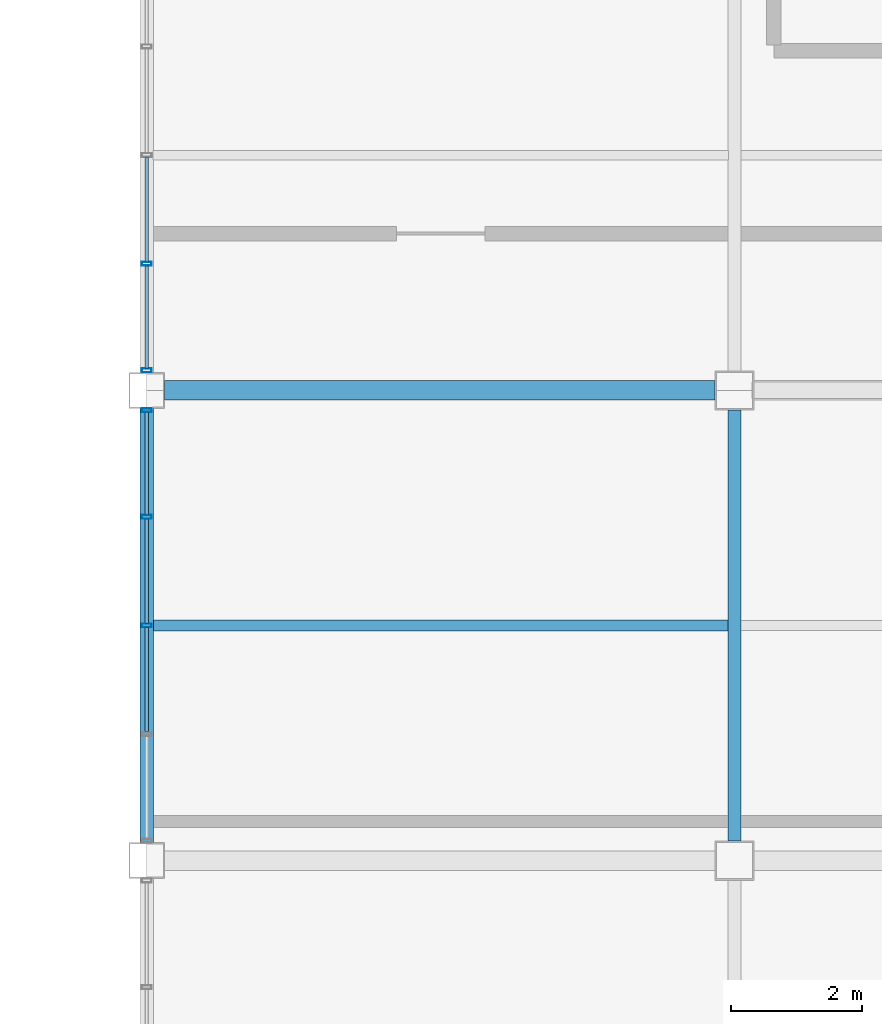
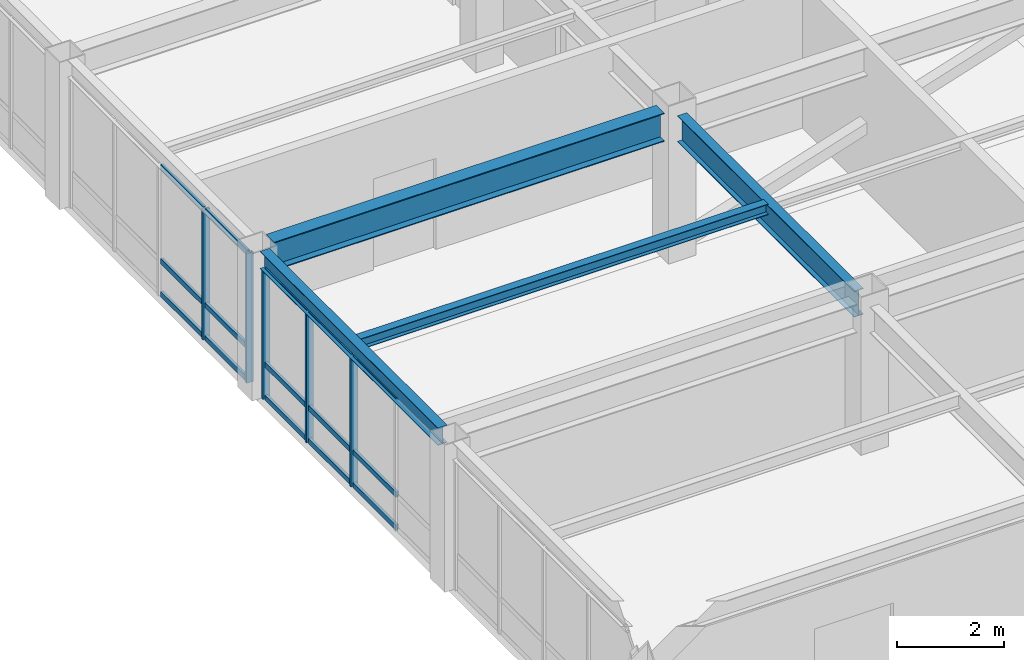
# One storey, part 21 of 43: 20 members, 4 beams, 2 elements without a shape of their own.
"""IFC4 building model written with IfcOpenShell, lengths in metres."""

from ifc_helpers import new_model, si_unit, direction, frame, origin, origin_2d, place, context, subcontext, project, spatial, hollow_rectangle, i_section, extrude, material, material_profile, profile_set, type_object, element, aggregate, save


model = new_model("IFC4")

# Units and contexts
model_context = context("Model", 3, precision=1e-05, world=origin(), true_north=direction((0.0, 1.0)))
body_context = subcontext(model_context, "Body", "Model", "MODEL_VIEW")
ifc_project = project(units=[si_unit("LENGTHUNIT", "METRE"), si_unit("AREAUNIT", "SQUARE_METRE"), si_unit("VOLUMEUNIT", "CUBIC_METRE"), si_unit("PLANEANGLEUNIT", "RADIAN"), si_unit("MASSUNIT", "GRAM", prefix="KILO")], contexts=[model_context])

# Site, building, storey
site_placement = place(None, origin())
site = spatial("IfcSite", under=ifc_project, at=site_placement, CompositionType="ELEMENT")
building_placement = place(site_placement, origin())
building = spatial("IfcBuilding", under=site, at=building_placement, Name="Kazanami Central Library", CompositionType="ELEMENT")
storey_placement = place(building_placement, frame((0.0, 0.0, 20.60009765625)))
storey = spatial("IfcBuildingStorey", under=building, at=storey_placement, Name="L06", CompositionType="ELEMENT", Elevation=20.60009765625)

# Beams
ifc_material_1 = material(Name="Steel SN400B (235 MPa)", Category="steel")
ifc_material_profile_1 = material_profile(ifc_material_1, i_section(OverallWidth=0.175048828125, OverallDepth=0.243896484375, WebThickness=0.007080078125, FlangeThickness=0.010986328125, at=origin_2d()), Name="H-244x175x7x11")
ifc_profile_set_1 = profile_set([ifc_material_profile_1], Name="Steel SN400B (235 MPa)")
beam_type_1 = type_object("IfcBeamType", Name="BM-B-S6", PredefinedType="JOIST", material=ifc_profile_set_1)
beam_1_placement = place(storey_placement, frame((117.097900390625, 68.39990234375, 3.23779296875), z_axis=(1.0, 0.0, 0.0), x_axis=(0.0, 1.0, 0.0)))
element("IfcBeam", 1, at=beam_1_placement, inside=storey, type_object=beam_type_1, Name="Composite Secondary Joist B-S6 L06 Bay 14/K.1", PredefinedType="JOIST", context=body_context, shape_type="SweptSolid", body=[
    extrude(i_section(OverallWidth=0.175048828125, OverallDepth=0.243896484375, WebThickness=0.007080078125, FlangeThickness=0.010986328125, at=origin_2d()), origin(), (0.0, 0.0, 1.0), 8.80419921875),
])
ifc_material_2 = material(Name="Steel SN490B (325 MPa)", Category="steel")
ifc_material_profile_2 = material_profile(ifc_material_2, i_section(OverallWidth=0.300048828125, OverallDepth=0.64990234375, WebThickness=0.012939453125, FlangeThickness=0.02099609375, at=origin_2d()), Name="H-650x300x13x21")
ifc_profile_set_2 = profile_set([ifc_material_profile_2], Name="Steel SN490B (325 MPa)")
beam_type_2 = type_object("IfcBeamType", Name="BM-G-TR", PredefinedType="BEAM", material=ifc_profile_set_2)
beam_2_placement = place(storey_placement, frame((117.27294921875, 72.0, 3.034912109375), z_axis=(1.0, 0.0, 0.0), x_axis=(0.0, 1.0, 0.0)))
element("IfcBeam", 2, at=beam_2_placement, inside=storey, type_object=beam_type_2, Name="Girder G-TR L06 L/14-15", PredefinedType="BEAM", context=body_context, shape_type="SweptSolid", body=[
    extrude(i_section(OverallWidth=0.300048828125, OverallDepth=0.64990234375, WebThickness=0.012939453125, FlangeThickness=0.02099609375, at=origin_2d()), origin(), (0.0, 0.0, 1.0), 8.428955078125),
])
ifc_material_profile_3 = material_profile(ifc_material_2, i_section(OverallWidth=0.199951171875, OverallDepth=0.60009765625, WebThickness=0.010986328125, FlangeThickness=0.01708984375, at=origin_2d()), Name="H-600x200x11x17")
ifc_profile_set_3 = profile_set([ifc_material_profile_3], Name="Steel SN490B (325 MPa)")
beam_type_3 = type_object("IfcBeamType", Name="BM-G-Y1", PredefinedType="BEAM", material=ifc_profile_set_3)
beam_3_placement = place(storey_placement, frame((126.0, 65.097900390625, 3.02001953125), z_axis=(0.0, 1.0, 0.0), x_axis=(-1.0, 0.0, 0.0)))
element("IfcBeam", 3, at=beam_3_placement, inside=storey, type_object=beam_type_3, Name="Girder G-Y1 L06 15/K-L", PredefinedType="BEAM", context=body_context, shape_type="SweptSolid", body=[
    extrude(i_section(OverallWidth=0.199951171875, OverallDepth=0.60009765625, WebThickness=0.010986328125, FlangeThickness=0.01708984375, at=origin_2d()), origin(), (0.0, 0.0, 1.0), 6.60400390625),
])
ifc_material_profile_4 = material_profile(ifc_material_2, i_section(OverallWidth=0.199951171875, OverallDepth=0.39990234375, WebThickness=0.008056640625, FlangeThickness=0.012939453125, at=origin_2d()), Name="H-400x200x8x13")
ifc_profile_set_4 = profile_set([ifc_material_profile_4], Name="Steel SN490B (325 MPa)")
beam_type_4 = type_object("IfcBeamType", Name="BM-SP-3", PredefinedType="SPANDREL", material=ifc_profile_set_4)
beam_4_placement = place(storey_placement, frame((117.0, 65.072998046875, 3.159912109375), z_axis=(0.0, 1.0, 0.0), x_axis=(-1.0, 0.0, 0.0)))
element("IfcBeam", 4, at=beam_4_placement, inside=storey, type_object=beam_type_4, Name="Girder SP-3 L06 14/K-L", PredefinedType="SPANDREL", context=body_context, shape_type="SweptSolid", body=[
    extrude(i_section(OverallWidth=0.199951171875, OverallDepth=0.39990234375, WebThickness=0.008056640625, FlangeThickness=0.012939453125, at=origin_2d()), origin(), (0.0, 0.0, 1.0), 6.654052734375),
])

# Curtain wall, members
ifc_material_3 = material(Name="Acid-Etched Low-E Laminated Glass", Category="glass")
curtain_wall_type = type_object("IfcCurtainWallType", Name="CW-6650x2960-M180", PredefinedType="USERDEFINED", material=ifc_material_3)
curtain_wall_1_placement = place(storey_placement, origin())
curtain_wall_1 = element("IfcCurtainWall", 5, at=curtain_wall_1_placement, inside=storey, type_object=curtain_wall_type, Name="Covered Link Bridge Curtain Wall CW-59 L06 W-14-09", ObjectType="UNITISED CURTAIN WALL", PredefinedType="USERDEFINED")
ifc_material_4 = material(Name="Anodised Aluminium A6063-T5", Category="aluminium")
ifc_material_profile_5 = material_profile(ifc_material_4, hollow_rectangle(XDim=0.06005859375, YDim=0.14990234375, WallThickness=0.00390625, at=origin_2d()), Name="ALU-MULL-60x150x4")
ifc_profile_set_5 = profile_set([ifc_material_profile_5], Name="Anodised Aluminium A6063-T5")
member_type_1 = type_object("IfcMemberType", Name="MEM-CW-M3", PredefinedType="MULLION", material=ifc_profile_set_5)
member_1_placement = place(storey_placement, frame((117.0, 68.39990234375, 0.0), z_axis=(0.0, 0.0, 1.0), x_axis=(0.0, 1.0, 0.0)))
member_1 = element("IfcMember", 6, at=member_1_placement, type_object=member_type_1, Name="CW-59 mullion 3", PredefinedType="MULLION", context=body_context, shape_type="SweptSolid", body=[
    extrude(hollow_rectangle(XDim=0.06005859375, YDim=0.14990234375, WallThickness=0.00390625, at=origin_2d()), origin(), (0.0, 0.0, 1.0), 2.9599609375),
])
member_2_placement = place(storey_placement, frame((117.0, 70.0625, 0.0), z_axis=(0.0, 0.0, 1.0), x_axis=(0.0, 1.0, 0.0)))
member_2 = element("IfcMember", 7, at=member_2_placement, type_object=member_type_1, Name="CW-59 mullion 4", PredefinedType="MULLION", context=body_context, shape_type="SweptSolid", body=[
    extrude(hollow_rectangle(XDim=0.06005859375, YDim=0.14990234375, WallThickness=0.00390625, at=origin_2d()), origin(), (0.0, 0.0, 1.0), 2.9599609375),
])
member_3_placement = place(storey_placement, frame((117.0, 71.695068359375, 0.0), z_axis=(0.0, 0.0, 1.0), x_axis=(0.0, 1.0, 0.0)))
member_3 = element("IfcMember", 8, at=member_3_placement, type_object=member_type_1, Name="CW-59 mullion 5", PredefinedType="MULLION", context=body_context, shape_type="SweptSolid", body=[
    extrude(hollow_rectangle(XDim=0.06005859375, YDim=0.14990234375, WallThickness=0.00390625, at=origin_2d()), origin(), (0.0, 0.0, 1.0), 2.9599609375),
])

curtain_wall_2_placement = place(storey_placement, origin())
curtain_wall_2 = element("IfcCurtainWall", 9, at=curtain_wall_2_placement, inside=storey, type_object=curtain_wall_type, Name="Covered Link Bridge Curtain Wall CW-59 L06 W-14-10", ObjectType="UNITISED CURTAIN WALL", PredefinedType="USERDEFINED")
member_4_placement = place(storey_placement, frame((117.0, 72.304931640625, 0.0), z_axis=(0.0, 0.0, 1.0), x_axis=(0.0, 1.0, 0.0)))
member_4 = element("IfcMember", 10, at=member_4_placement, type_object=member_type_1, Name="CW-59 mullion 1", PredefinedType="MULLION", context=body_context, shape_type="SweptSolid", body=[
    extrude(hollow_rectangle(XDim=0.06005859375, YDim=0.14990234375, WallThickness=0.00390625, at=origin_2d()), origin(), (0.0, 0.0, 1.0), 2.9599609375),
])
member_5_placement = place(storey_placement, frame((117.0, 73.9375, 0.0), z_axis=(0.0, 0.0, 1.0), x_axis=(0.0, 1.0, 0.0)))
member_5 = element("IfcMember", 11, at=member_5_placement, type_object=member_type_1, Name="CW-59 mullion 2", PredefinedType="MULLION", context=body_context, shape_type="SweptSolid", body=[
    extrude(hollow_rectangle(XDim=0.06005859375, YDim=0.14990234375, WallThickness=0.00390625, at=origin_2d()), origin(), (0.0, 0.0, 1.0), 2.9599609375),
])

# Member
ifc_material_profile_6 = material_profile(ifc_material_4, hollow_rectangle(XDim=0.06005859375, YDim=0.1201171875, WallThickness=0.00341796875, at=origin_2d()), Name="ALU-TRAN-60x120x3.5")
ifc_profile_set_6 = profile_set([ifc_material_profile_6], Name="Anodised Aluminium A6063-T5")
member_type_2 = type_object("IfcMemberType", Name="MEM-CW-T3", PredefinedType="USERDEFINED", material=ifc_profile_set_6)
member_6_placement = place(storey_placement, frame((117.0, 66.767578125, 0.02978515625), z_axis=(0.0, 1.0, 0.0), x_axis=(-1.0, 0.0, 0.0)))
member_6 = element("IfcMember", 12, at=member_6_placement, type_object=member_type_2, Name="CW-59 transom 2.1", ObjectType="TRANSOM", PredefinedType="USERDEFINED", context=body_context, shape_type="SweptSolid", body=[
    extrude(hollow_rectangle(XDim=0.06005859375, YDim=0.1201171875, WallThickness=0.00341796875, at=origin_2d()), origin(), (0.0, 0.0, 1.0), 1.6025390625),
])

member_7_placement = place(storey_placement, frame((117.0, 66.767578125, 0.77978515625), z_axis=(0.0, 1.0, 0.0), x_axis=(-1.0, 0.0, 0.0)))
member_7 = element("IfcMember", 13, at=member_7_placement, type_object=member_type_2, Name="CW-59 transom 2.2", ObjectType="TRANSOM", PredefinedType="USERDEFINED", context=body_context, shape_type="SweptSolid", body=[
    extrude(hollow_rectangle(XDim=0.06005859375, YDim=0.1201171875, WallThickness=0.00341796875, at=origin_2d()), origin(), (0.0, 0.0, 1.0), 1.6025390625),
])

member_8_placement = place(storey_placement, frame((117.0, 66.767578125, 2.929931640625), z_axis=(0.0, 1.0, 0.0), x_axis=(-1.0, 0.0, 0.0)))
member_8 = element("IfcMember", 14, at=member_8_placement, type_object=member_type_2, Name="CW-59 transom 2.3", ObjectType="TRANSOM", PredefinedType="USERDEFINED", context=body_context, shape_type="SweptSolid", body=[
    extrude(hollow_rectangle(XDim=0.06005859375, YDim=0.1201171875, WallThickness=0.00341796875, at=origin_2d()), origin(), (0.0, 0.0, 1.0), 1.6025390625),
])

member_9_placement = place(storey_placement, frame((117.0, 68.429931640625, 0.02978515625), z_axis=(0.0, 1.0, 0.0), x_axis=(-1.0, 0.0, 0.0)))
member_9 = element("IfcMember", 15, at=member_9_placement, type_object=member_type_2, Name="CW-59 transom 3.1", ObjectType="TRANSOM", PredefinedType="USERDEFINED", context=body_context, shape_type="SweptSolid", body=[
    extrude(hollow_rectangle(XDim=0.06005859375, YDim=0.1201171875, WallThickness=0.00341796875, at=origin_2d()), origin(), (0.0, 0.0, 1.0), 1.6025390625),
])

member_10_placement = place(storey_placement, frame((117.0, 68.429931640625, 0.77978515625), z_axis=(0.0, 1.0, 0.0), x_axis=(-1.0, 0.0, 0.0)))
member_10 = element("IfcMember", 16, at=member_10_placement, type_object=member_type_2, Name="CW-59 transom 3.2", ObjectType="TRANSOM", PredefinedType="USERDEFINED", context=body_context, shape_type="SweptSolid", body=[
    extrude(hollow_rectangle(XDim=0.06005859375, YDim=0.1201171875, WallThickness=0.00341796875, at=origin_2d()), origin(), (0.0, 0.0, 1.0), 1.6025390625),
])

member_11_placement = place(storey_placement, frame((117.0, 68.429931640625, 2.929931640625), z_axis=(0.0, 1.0, 0.0), x_axis=(-1.0, 0.0, 0.0)))
member_11 = element("IfcMember", 17, at=member_11_placement, type_object=member_type_2, Name="CW-59 transom 3.3", ObjectType="TRANSOM", PredefinedType="USERDEFINED", context=body_context, shape_type="SweptSolid", body=[
    extrude(hollow_rectangle(XDim=0.06005859375, YDim=0.1201171875, WallThickness=0.00341796875, at=origin_2d()), origin(), (0.0, 0.0, 1.0), 1.6025390625),
])

member_12_placement = place(storey_placement, frame((117.0, 70.092529296875, 0.02978515625), z_axis=(0.0, 1.0, 0.0), x_axis=(-1.0, 0.0, 0.0)))
member_12 = element("IfcMember", 18, at=member_12_placement, type_object=member_type_2, Name="CW-59 transom 4.1", ObjectType="TRANSOM", PredefinedType="USERDEFINED", context=body_context, shape_type="SweptSolid", body=[
    extrude(hollow_rectangle(XDim=0.06005859375, YDim=0.1201171875, WallThickness=0.00341796875, at=origin_2d()), origin(), (0.0, 0.0, 1.0), 1.572509765625),
])

member_13_placement = place(storey_placement, frame((117.0, 70.092529296875, 0.77978515625), z_axis=(0.0, 1.0, 0.0), x_axis=(-1.0, 0.0, 0.0)))
member_13 = element("IfcMember", 19, at=member_13_placement, type_object=member_type_2, Name="CW-59 transom 4.2", ObjectType="TRANSOM", PredefinedType="USERDEFINED", context=body_context, shape_type="SweptSolid", body=[
    extrude(hollow_rectangle(XDim=0.06005859375, YDim=0.1201171875, WallThickness=0.00341796875, at=origin_2d()), origin(), (0.0, 0.0, 1.0), 1.572509765625),
])

member_14_placement = place(storey_placement, frame((117.0, 70.092529296875, 2.929931640625), z_axis=(0.0, 1.0, 0.0), x_axis=(-1.0, 0.0, 0.0)))
member_14 = element("IfcMember", 20, at=member_14_placement, type_object=member_type_2, Name="CW-59 transom 4.3", ObjectType="TRANSOM", PredefinedType="USERDEFINED", context=body_context, shape_type="SweptSolid", body=[
    extrude(hollow_rectangle(XDim=0.06005859375, YDim=0.1201171875, WallThickness=0.00341796875, at=origin_2d()), origin(), (0.0, 0.0, 1.0), 1.572509765625),
])

aggregate(curtain_wall_1, [member_1, member_2, member_3, member_6, member_7, member_8, member_9, member_10, member_11, member_12, member_13, member_14])

member_15_placement = place(storey_placement, frame((117.0, 72.3349609375, 0.02978515625), z_axis=(0.0, 1.0, 0.0), x_axis=(-1.0, 0.0, 0.0)))
member_15 = element("IfcMember", 21, at=member_15_placement, type_object=member_type_2, Name="CW-59 transom 1.1", ObjectType="TRANSOM", PredefinedType="USERDEFINED", context=body_context, shape_type="SweptSolid", body=[
    extrude(hollow_rectangle(XDim=0.06005859375, YDim=0.1201171875, WallThickness=0.00341796875, at=origin_2d()), origin(), (0.0, 0.0, 1.0), 1.572509765625),
])

member_16_placement = place(storey_placement, frame((117.0, 72.3349609375, 0.77978515625), z_axis=(0.0, 1.0, 0.0), x_axis=(-1.0, 0.0, 0.0)))
member_16 = element("IfcMember", 22, at=member_16_placement, type_object=member_type_2, Name="CW-59 transom 1.2", ObjectType="TRANSOM", PredefinedType="USERDEFINED", context=body_context, shape_type="SweptSolid", body=[
    extrude(hollow_rectangle(XDim=0.06005859375, YDim=0.1201171875, WallThickness=0.00341796875, at=origin_2d()), origin(), (0.0, 0.0, 1.0), 1.572509765625),
])

member_17_placement = place(storey_placement, frame((117.0, 72.3349609375, 2.929931640625), z_axis=(0.0, 1.0, 0.0), x_axis=(-1.0, 0.0, 0.0)))
member_17 = element("IfcMember", 23, at=member_17_placement, type_object=member_type_2, Name="CW-59 transom 1.3", ObjectType="TRANSOM", PredefinedType="USERDEFINED", context=body_context, shape_type="SweptSolid", body=[
    extrude(hollow_rectangle(XDim=0.06005859375, YDim=0.1201171875, WallThickness=0.00341796875, at=origin_2d()), origin(), (0.0, 0.0, 1.0), 1.572509765625),
])

member_18_placement = place(storey_placement, frame((117.0, 73.967529296875, 0.02978515625), z_axis=(0.0, 1.0, 0.0), x_axis=(-1.0, 0.0, 0.0)))
member_18 = element("IfcMember", 24, at=member_18_placement, type_object=member_type_2, Name="CW-59 transom 2.1", ObjectType="TRANSOM", PredefinedType="USERDEFINED", context=body_context, shape_type="SweptSolid", body=[
    extrude(hollow_rectangle(XDim=0.06005859375, YDim=0.1201171875, WallThickness=0.00341796875, at=origin_2d()), origin(), (0.0, 0.0, 1.0), 1.6025390625),
])

member_19_placement = place(storey_placement, frame((117.0, 73.967529296875, 0.77978515625), z_axis=(0.0, 1.0, 0.0), x_axis=(-1.0, 0.0, 0.0)))
member_19 = element("IfcMember", 25, at=member_19_placement, type_object=member_type_2, Name="CW-59 transom 2.2", ObjectType="TRANSOM", PredefinedType="USERDEFINED", context=body_context, shape_type="SweptSolid", body=[
    extrude(hollow_rectangle(XDim=0.06005859375, YDim=0.1201171875, WallThickness=0.00341796875, at=origin_2d()), origin(), (0.0, 0.0, 1.0), 1.6025390625),
])

member_20_placement = place(storey_placement, frame((117.0, 73.967529296875, 2.929931640625), z_axis=(0.0, 1.0, 0.0), x_axis=(-1.0, 0.0, 0.0)))
member_20 = element("IfcMember", 26, at=member_20_placement, type_object=member_type_2, Name="CW-59 transom 2.3", ObjectType="TRANSOM", PredefinedType="USERDEFINED", context=body_context, shape_type="SweptSolid", body=[
    extrude(hollow_rectangle(XDim=0.06005859375, YDim=0.1201171875, WallThickness=0.00341796875, at=origin_2d()), origin(), (0.0, 0.0, 1.0), 1.6025390625),
])

aggregate(curtain_wall_2, [member_4, member_5, member_15, member_16, member_17, member_18, member_19, member_20])

save(model, "model.ifc")
